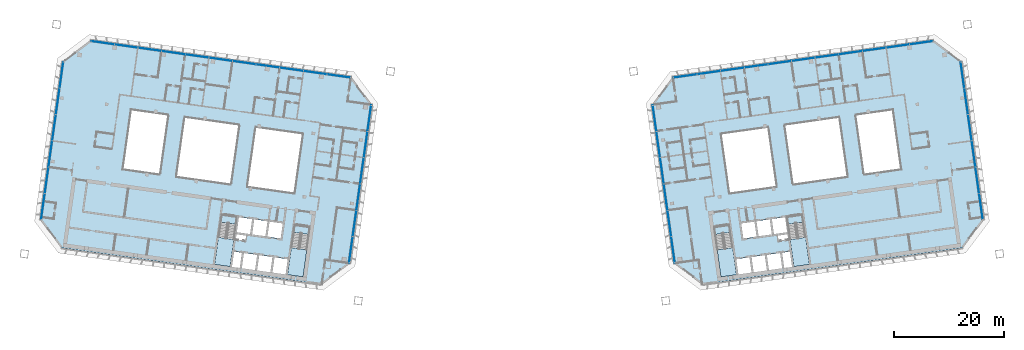
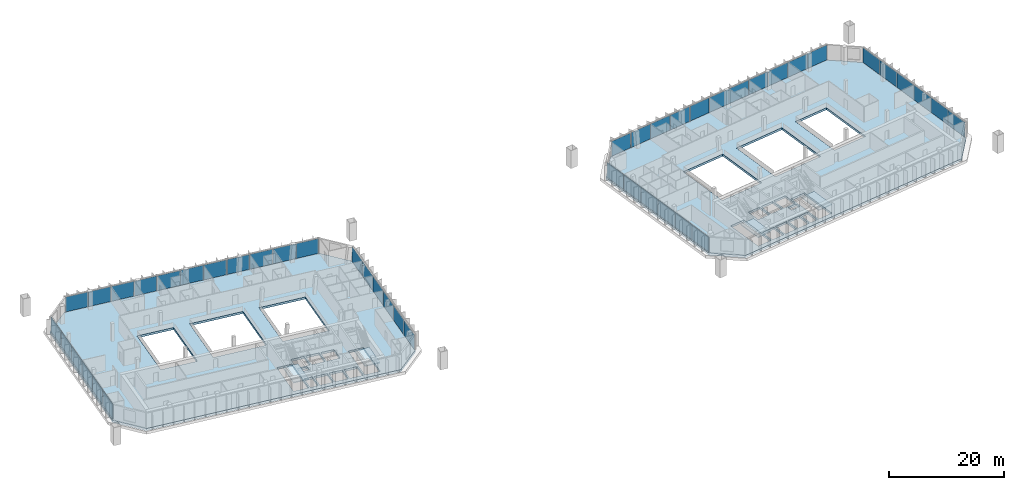
# One storey, part 12 of 23: 46 plates, 6 slabs, 10 elements without a shape of their own.
"""IFC4 building model written with IfcOpenShell, lengths in metres."""

import ifcopenshell
import ifcopenshell.guid

model = None  # the IFC model being written
_history = None  # IfcOwnerHistory: only IFC2X3 demands one
_inside = {}  # id of a spatial element -> (the spatial element, [elements in it])
_under = {}  # id of a project, library or spatial element -> (it, [spatial elements below it])
_declared = {}  # id of a project -> (the project, [libraries it declares])
_typed = {}  # id of a type object -> (the type object, [elements of that type])
_made_of = {}  # id of a material, layer set ... -> (it, [elements and type objects made of it])


def new_model(schema):
    """Start an empty IFC model of exactly this schema.

    Asked for "IFC4X3", IfcOpenShell would pick the latest addendum, in which some entities
    have other attributes; the version numbers below select the first issue.
    IFC2X3 requires an IfcOwnerHistory on every rooted entity: one is made here for all.
    """
    global model, _history
    if schema == "IFC4X3":
        model = ifcopenshell.file(schema_version=(4, 3, 0, 0))
    else:
        model = ifcopenshell.file(schema=schema)
    _inside.clear()
    _under.clear()
    _declared.clear()
    _typed.clear()
    _made_of.clear()
    _history = None
    if model.schema == "IFC2X3":
        org = make("IfcOrganization", Name="unknown")
        user = make(
            "IfcPersonAndOrganization",
            ThePerson=make("IfcPerson", FamilyName="unknown"),
            TheOrganization=org,
        )
        app = make(
            "IfcApplication",
            ApplicationDeveloper=org,
            Version="unknown",
            ApplicationFullName="unknown",
            ApplicationIdentifier="unknown",
        )
        _history = make(
            "IfcOwnerHistory",
            OwningUser=user,
            OwningApplication=app,
            ChangeAction="ADDED",
            CreationDate=0,
        )
    return model


def make(cls, **values):
    """One entity of the class cls with the attributes given. An attribute that is None is left unset."""
    return model.create_entity(
        cls, **{name: value for name, value in values.items() if value is not None}
    )


def rooted(cls, **values):
    """An entity with a GlobalId (a new one), such as an element, a storey or a relation."""
    return make(cls, GlobalId=ifcopenshell.guid.new(), OwnerHistory=_history, **values)


def si_unit(unit_type, name, prefix=None):
    """IfcSIUnit, for example si_unit("LENGTHUNIT", "METRE", prefix="MILLI")."""
    return make("IfcSIUnit", UnitType=unit_type, Prefix=prefix, Name=name)


def assignment(units):
    """IfcUnitAssignment: the units of a project."""
    return None if units is None else make("IfcUnitAssignment", Units=units)


def point(xyz):
    """IfcCartesianPoint."""
    return None if xyz is None else make("IfcCartesianPoint", Coordinates=xyz)


def direction(xyz):
    """IfcDirection."""
    return None if xyz is None else make("IfcDirection", DirectionRatios=xyz)


def frame(location, z_axis=None, x_axis=None):
    """IfcAxis2Placement3D, a coordinate frame: its origin and axes. An axis left out is left unset."""
    return make(
        "IfcAxis2Placement3D",
        Location=point(location),
        Axis=direction(z_axis),
        RefDirection=direction(x_axis),
    )


def frame_2d(location, x_axis=None):
    """IfcAxis2Placement2D, a coordinate frame in the plane: its origin and x axis."""
    return make(
        "IfcAxis2Placement2D", Location=point(location), RefDirection=direction(x_axis)
    )


def origin():
    """The frame at (0, 0, 0) with its axes left unset."""
    return frame((0.0, 0.0, 0.0))


def origin_2d():
    """The frame at (0, 0) in the plane with its x axis left unset."""
    return frame_2d((0.0, 0.0))


def place(relative_to, where):
    """IfcLocalPlacement: puts the frame where relative to a parent placement (None: the world)."""
    return make(
        "IfcLocalPlacement", PlacementRelTo=relative_to, RelativePlacement=where
    )


def context(
    kind, dimensions, precision=None, world=None, true_north=None, identifier=None
):
    """IfcGeometricRepresentationContext, for example the 3D "Model" context."""
    return make(
        "IfcGeometricRepresentationContext",
        ContextIdentifier=identifier,
        ContextType=kind,
        CoordinateSpaceDimension=dimensions,
        Precision=precision,
        WorldCoordinateSystem=world,
        TrueNorth=true_north,
    )


def subcontext(parent, identifier, kind, view, scale=None):
    """IfcGeometricRepresentationSubContext, for example "Body" below "Model"."""
    return make(
        "IfcGeometricRepresentationSubContext",
        ContextIdentifier=identifier,
        ContextType=kind,
        ParentContext=parent,
        TargetScale=scale,
        TargetView=view,
    )


def project(units=None, contexts=None):
    """IfcProject with its units and contexts."""
    return rooted(
        "IfcProject",
        Name="project",
        RepresentationContexts=contexts,
        UnitsInContext=assignment(units),
    )


def spatial(cls, under=None, at=None, **own):
    """A site, building, storey or space (cls), placed at a placement, below another one or the project."""
    s = rooted(cls, ObjectPlacement=at, **own)
    if under is not None:
        _under.setdefault(under.id(), (under, []))[1].append(s)
    return s


def polyline(points):
    """IfcPolyline through the points."""
    return make("IfcPolyline", Points=[point(p) for p in points])


def profile(cls, at=None, kind="AREA", **sizes):
    """A parametric profile (cls). Its sizes go by their IFC names, for example OverallWidth=200.0."""
    return make(cls, ProfileType=kind, Position=at, **sizes)


def rectangle(**sizes):
    """IfcRectangleProfileDef."""
    return profile("IfcRectangleProfileDef", **sizes)


def outline(outer, holes=None, kind="AREA"):
    """IfcArbitraryClosedProfileDef: a profile drawn as a closed curve; with holes, ...WithVoids."""
    if holes is None:
        return make("IfcArbitraryClosedProfileDef", ProfileType=kind, OuterCurve=outer)
    return make(
        "IfcArbitraryProfileDefWithVoids",
        ProfileType=kind,
        OuterCurve=outer,
        InnerCurves=holes,
    )


def extrude(swept, where, along, depth):
    """IfcExtrudedAreaSolid: the profile swept, set in the frame where, extruded along a direction by depth."""
    return make(
        "IfcExtrudedAreaSolid",
        SweptArea=swept,
        Position=where,
        ExtrudedDirection=direction(along),
        Depth=depth,
    )


def shape(context_of_items, identifier, shape_type, items):
    """IfcShapeRepresentation: the items that make up one representation, for example the "Body"."""
    return make(
        "IfcShapeRepresentation",
        ContextOfItems=context_of_items,
        RepresentationIdentifier=identifier,
        RepresentationType=shape_type,
        Items=items,
    )


def material(Name=None, Category=None):
    """IfcMaterial."""
    return make("IfcMaterial", Name=Name, Category=Category)


def layer(
    of_material, thickness, ventilated=None, Name=None, Category=None, Priority=None
):
    """IfcMaterialLayer: one layer of a wall or slab, of a material (None: an air gap)."""
    return make(
        "IfcMaterialLayer",
        Material=of_material,
        LayerThickness=thickness,
        IsVentilated=ventilated,
        Name=Name,
        Category=Category,
        Priority=Priority,
    )


def layer_set(layers, Name=None):
    """IfcMaterialLayerSet."""
    return make("IfcMaterialLayerSet", MaterialLayers=layers, LayerSetName=Name)


def made_of(thing, what):
    """Note that an element or type object is made of a material, layer set ...; save() writes the relation."""
    if what is not None:
        _made_of.setdefault(what.id(), (what, []))[1].append(thing)
    return thing


def type_object(cls, material=None, **own):
    """A type object (cls), such as IfcWallType, which elements share."""
    return made_of(rooted(cls, **own), material)


def element(
    cls,
    number,
    at=None,
    inside=None,
    cuts=None,
    type_object=None,
    material=None,
    context=None,
    identifier="Body",
    shape_type=None,
    held_by="IfcProductDefinitionShape",
    body=None,
    shapes=None,
    **own,
):
    """One element of the class cls, such as IfcWall. Its Tag is "e" and its number.

    at: its placement. inside: the storey or other place that contains it. cuts: it is an
    opening in that element (IfcRelVoidsElement). A single representation is given by context,
    identifier, shape_type and body (its items); several are given by shapes. held_by: the class
    of the entity that holds the representations. save() writes the other relations.
    """
    e = rooted(cls, Tag="e%d" % number, ObjectPlacement=at, **own)
    if body is not None:
        shapes = [shape(context, identifier, shape_type, body)]
    if shapes is not None:
        e.Representation = make(held_by, Representations=shapes)
    if inside is not None:
        _inside.setdefault(inside.id(), (inside, []))[1].append(e)
    if cuts is not None:
        rooted(
            "IfcRelVoidsElement", RelatingBuildingElement=cuts, RelatedOpeningElement=e
        )
    if type_object is not None:
        _typed.setdefault(type_object.id(), (type_object, []))[1].append(e)
    return made_of(e, material)


def aggregate(whole, parts):
    """IfcRelAggregates: a whole, such as a stair, and the parts it consists of."""
    return rooted("IfcRelAggregates", RelatingObject=whole, RelatedObjects=parts)


def save(model, path):
    """Write the relations noted so far, then the file.

    IfcRelAggregates (storeys below a building ...), IfcRelContainedInSpatialStructure (elements
    in a storey), IfcRelDefinesByType, IfcRelAssociatesMaterial and IfcRelDeclares: one each for
    every whole, place, type object, material and project.
    """
    for whole, parts in _under.values():
        aggregate(whole, parts)
    for where, things in _inside.values():
        rooted(
            "IfcRelContainedInSpatialStructure",
            RelatedElements=things,
            RelatingStructure=where,
        )
    for kind, things in _typed.values():
        rooted("IfcRelDefinesByType", RelatedObjects=things, RelatingType=kind)
    for what, things in _made_of.values():
        rooted("IfcRelAssociatesMaterial", RelatedObjects=things, RelatingMaterial=what)
    for by, libraries in _declared.values():
        rooted("IfcRelDeclares", RelatingContext=by, RelatedDefinitions=libraries)
    model.write(path)


model = new_model("IFC4")

# Units and contexts
model_context = context("Model", 3, precision=1e-05, world=origin(), true_north=direction((0.0, 1.0)))
body_context = subcontext(model_context, "Body", "Model", "MODEL_VIEW")
ifc_project = project(units=[si_unit("LENGTHUNIT", "METRE"), si_unit("AREAUNIT", "SQUARE_METRE"), si_unit("VOLUMEUNIT", "CUBIC_METRE"), si_unit("PLANEANGLEUNIT", "RADIAN"), si_unit("MASSUNIT", "GRAM", prefix="KILO")], contexts=[model_context])

# Site, building, storey
site_placement = place(None, origin())
site = spatial("IfcSite", under=ifc_project, at=site_placement, CompositionType="ELEMENT")
building_placement = place(site_placement, origin())
building = spatial("IfcBuilding", under=site, at=building_placement, Name="Mirante Cascada Hotel Towers", CompositionType="ELEMENT")
storey_placement = place(building_placement, frame((0.0, 0.0, 199.2)))
storey = spatial("IfcBuildingStorey", under=building, at=storey_placement, Name="L47", CompositionType="ELEMENT", Elevation=199.2)

# Curtain wall, plates
ifc_material_1 = material(Name="Aluminium mullion and transom frame with clear laminated glass", Category="aluminium")
curtain_wall_type_1 = type_object("IfcCurtainWallType", Name="Ribbon curtain wall ECW1", PredefinedType="NOTDEFINED", material=ifc_material_1)
curtain_wall_1_placement = place(storey_placement, origin())
curtain_wall_1 = element("IfcCurtainWall", 1, at=curtain_wall_1_placement, inside=storey, type_object=curtain_wall_type_1, Name="Front ribbon wall T1 L47", PredefinedType="NOTDEFINED")
ifc_material_2 = material(Name="Clear laminated glass", Category="glass")
ifc_layer_1 = layer(ifc_material_2, 0.036)
ifc_layer_set_1 = layer_set([ifc_layer_1], Name="ECW1 glass panel 36")
plate_type_1 = type_object("IfcPlateType", Name="ECW1 glass panel 36", PredefinedType="CURTAIN_PANEL", material=ifc_layer_set_1)
plate_1_placement = place(storey_placement, frame((-74.1777, 23.244, 0.1), z_axis=(0.0, 0.0, 1.0), x_axis=(0.9902681, -0.1391731, 0.0)))
plate_1 = element("IfcPlate", 2, at=plate_1_placement, type_object=plate_type_1, Name="ECW1 panel 1", PredefinedType="CURTAIN_PANEL", context=body_context, shape_type="SweptSolid", body=[
    extrude(rectangle(XDim=4.2237, YDim=0.036, at=origin_2d()), origin(), (0.0, 0.0, 1.0), 3.15),
])
plate_2_placement = place(storey_placement, frame((-69.9146, 22.6449, 0.1), z_axis=(0.0, 0.0, 1.0), x_axis=(0.9902681, -0.1391731, 0.0)))
plate_2 = element("IfcPlate", 3, at=plate_2_placement, type_object=plate_type_1, Name="ECW1 panel 2", PredefinedType="CURTAIN_PANEL", context=body_context, shape_type="SweptSolid", body=[
    extrude(rectangle(XDim=4.2562, YDim=0.036, at=origin_2d()), origin(), (0.0, 0.0, 1.0), 3.15),
])
plate_3_placement = place(storey_placement, frame((-65.6355, 22.0435, 0.1), z_axis=(0.0, 0.0, 1.0), x_axis=(0.9902681, -0.1391731, 0.0)))
plate_3 = element("IfcPlate", 4, at=plate_3_placement, type_object=plate_type_1, Name="ECW1 panel 3", PredefinedType="CURTAIN_PANEL", context=body_context, shape_type="SweptSolid", body=[
    extrude(rectangle(XDim=4.2562, YDim=0.036, at=origin_2d()), origin(), (0.0, 0.0, 1.0), 3.15),
])
plate_4_placement = place(storey_placement, frame((-61.3563, 21.4421, 0.1), z_axis=(0.0, 0.0, 1.0), x_axis=(0.9902681, -0.1391731, 0.0)))
plate_4 = element("IfcPlate", 5, at=plate_4_placement, type_object=plate_type_1, Name="ECW1 panel 4", PredefinedType="CURTAIN_PANEL", context=body_context, shape_type="SweptSolid", body=[
    extrude(rectangle(XDim=4.2562, YDim=0.036, at=origin_2d()), origin(), (0.0, 0.0, 1.0), 3.15),
])
plate_5_placement = place(storey_placement, frame((-57.0772, 20.8407, 0.1), z_axis=(0.0, 0.0, 1.0), x_axis=(0.9902681, -0.1391731, 0.0)))
plate_5 = element("IfcPlate", 6, at=plate_5_placement, type_object=plate_type_1, Name="ECW1 panel 5", PredefinedType="CURTAIN_PANEL", context=body_context, shape_type="SweptSolid", body=[
    extrude(rectangle(XDim=4.2562, YDim=0.036, at=origin_2d()), origin(), (0.0, 0.0, 1.0), 3.15),
])
plate_6_placement = place(storey_placement, frame((-52.7981, 20.2393, 0.1), z_axis=(0.0, 0.0, 1.0), x_axis=(0.9902681, -0.1391731, 0.0)))
plate_6 = element("IfcPlate", 7, at=plate_6_placement, type_object=plate_type_1, Name="ECW1 panel 6", PredefinedType="CURTAIN_PANEL", context=body_context, shape_type="SweptSolid", body=[
    extrude(rectangle(XDim=4.2562, YDim=0.036, at=origin_2d()), origin(), (0.0, 0.0, 1.0), 3.15),
])
plate_7_placement = place(storey_placement, frame((-48.5189, 19.6379, 0.1), z_axis=(0.0, 0.0, 1.0), x_axis=(0.9902681, -0.1391731, 0.0)))
plate_7 = element("IfcPlate", 8, at=plate_7_placement, type_object=plate_type_1, Name="ECW1 panel 7", PredefinedType="CURTAIN_PANEL", context=body_context, shape_type="SweptSolid", body=[
    extrude(rectangle(XDim=4.2562, YDim=0.036, at=origin_2d()), origin(), (0.0, 0.0, 1.0), 3.15),
])
plate_8_placement = place(storey_placement, frame((-44.2398, 19.0365, 0.1), z_axis=(0.0, 0.0, 1.0), x_axis=(0.9902681, -0.1391731, 0.0)))
plate_8 = element("IfcPlate", 9, at=plate_8_placement, type_object=plate_type_1, Name="ECW1 panel 8", PredefinedType="CURTAIN_PANEL", context=body_context, shape_type="SweptSolid", body=[
    extrude(rectangle(XDim=4.2562, YDim=0.036, at=origin_2d()), origin(), (0.0, 0.0, 1.0), 3.15),
])
plate_9_placement = place(storey_placement, frame((-39.9606, 18.4351, 0.1), z_axis=(0.0, 0.0, 1.0), x_axis=(0.9902681, -0.1391731, 0.0)))
plate_9 = element("IfcPlate", 10, at=plate_9_placement, type_object=plate_type_1, Name="ECW1 panel 9", PredefinedType="CURTAIN_PANEL", context=body_context, shape_type="SweptSolid", body=[
    extrude(rectangle(XDim=4.2562, YDim=0.036, at=origin_2d()), origin(), (0.0, 0.0, 1.0), 3.15),
])
plate_10_placement = place(storey_placement, frame((-35.6815, 17.8337, 0.1), z_axis=(0.0, 0.0, 1.0), x_axis=(0.9902681, -0.1391731, 0.0)))
plate_10 = element("IfcPlate", 11, at=plate_10_placement, type_object=plate_type_1, Name="ECW1 panel 10", PredefinedType="CURTAIN_PANEL", context=body_context, shape_type="SweptSolid", body=[
    extrude(rectangle(XDim=4.2562, YDim=0.036, at=origin_2d()), origin(), (0.0, 0.0, 1.0), 3.15),
])
plate_11_placement = place(storey_placement, frame((-31.4184, 17.2346, 0.1), z_axis=(0.0, 0.0, 1.0), x_axis=(0.9902681, -0.1391731, 0.0)))
plate_11 = element("IfcPlate", 12, at=plate_11_placement, type_object=plate_type_1, Name="ECW1 panel 11", PredefinedType="CURTAIN_PANEL", context=body_context, shape_type="SweptSolid", body=[
    extrude(rectangle(XDim=4.2237, YDim=0.036, at=origin_2d()), origin(), (0.0, 0.0, 1.0), 3.15),
])
aggregate(curtain_wall_1, [plate_1, plate_2, plate_3, plate_4, plate_5, plate_6, plate_7, plate_8, plate_9, plate_10, plate_11])

curtain_wall_2_placement = place(storey_placement, origin())
curtain_wall_2 = element("IfcCurtainWall", 13, at=curtain_wall_2_placement, inside=storey, type_object=curtain_wall_type_1, Name="Front ribbon wall T2 L47", PredefinedType="NOTDEFINED")
plate_12_placement = place(storey_placement, frame((74.1777, 23.244, 0.1), z_axis=(0.0, 0.0, 1.0), x_axis=(-0.9902681, -0.1391731, 0.0)))
plate_12 = element("IfcPlate", 14, at=plate_12_placement, type_object=plate_type_1, Name="ECW1 panel 1", PredefinedType="CURTAIN_PANEL", context=body_context, shape_type="SweptSolid", body=[
    extrude(rectangle(XDim=4.2237, YDim=0.036, at=origin_2d()), origin(), (0.0, 0.0, 1.0), 3.15),
])
plate_13_placement = place(storey_placement, frame((69.9146, 22.6449, 0.1), z_axis=(0.0, 0.0, 1.0), x_axis=(-0.9902681, -0.1391731, 0.0)))
plate_13 = element("IfcPlate", 15, at=plate_13_placement, type_object=plate_type_1, Name="ECW1 panel 2", PredefinedType="CURTAIN_PANEL", context=body_context, shape_type="SweptSolid", body=[
    extrude(rectangle(XDim=4.2562, YDim=0.036, at=origin_2d()), origin(), (0.0, 0.0, 1.0), 3.15),
])
plate_14_placement = place(storey_placement, frame((65.6355, 22.0435, 0.1), z_axis=(0.0, 0.0, 1.0), x_axis=(-0.9902681, -0.1391731, 0.0)))
plate_14 = element("IfcPlate", 16, at=plate_14_placement, type_object=plate_type_1, Name="ECW1 panel 3", PredefinedType="CURTAIN_PANEL", context=body_context, shape_type="SweptSolid", body=[
    extrude(rectangle(XDim=4.2562, YDim=0.036, at=origin_2d()), origin(), (0.0, 0.0, 1.0), 3.15),
])
plate_15_placement = place(storey_placement, frame((61.3563, 21.4421, 0.1), z_axis=(0.0, 0.0, 1.0), x_axis=(-0.9902681, -0.1391731, 0.0)))
plate_15 = element("IfcPlate", 17, at=plate_15_placement, type_object=plate_type_1, Name="ECW1 panel 4", PredefinedType="CURTAIN_PANEL", context=body_context, shape_type="SweptSolid", body=[
    extrude(rectangle(XDim=4.2562, YDim=0.036, at=origin_2d()), origin(), (0.0, 0.0, 1.0), 3.15),
])
plate_16_placement = place(storey_placement, frame((57.0772, 20.8407, 0.1), z_axis=(0.0, 0.0, 1.0), x_axis=(-0.9902681, -0.1391731, 0.0)))
plate_16 = element("IfcPlate", 18, at=plate_16_placement, type_object=plate_type_1, Name="ECW1 panel 5", PredefinedType="CURTAIN_PANEL", context=body_context, shape_type="SweptSolid", body=[
    extrude(rectangle(XDim=4.2562, YDim=0.036, at=origin_2d()), origin(), (0.0, 0.0, 1.0), 3.15),
])
plate_17_placement = place(storey_placement, frame((52.7981, 20.2393, 0.1), z_axis=(0.0, 0.0, 1.0), x_axis=(-0.9902681, -0.1391731, 0.0)))
plate_17 = element("IfcPlate", 19, at=plate_17_placement, type_object=plate_type_1, Name="ECW1 panel 6", PredefinedType="CURTAIN_PANEL", context=body_context, shape_type="SweptSolid", body=[
    extrude(rectangle(XDim=4.2562, YDim=0.036, at=origin_2d()), origin(), (0.0, 0.0, 1.0), 3.15),
])
plate_18_placement = place(storey_placement, frame((48.5189, 19.6379, 0.1), z_axis=(0.0, 0.0, 1.0), x_axis=(-0.9902681, -0.1391731, 0.0)))
plate_18 = element("IfcPlate", 20, at=plate_18_placement, type_object=plate_type_1, Name="ECW1 panel 7", PredefinedType="CURTAIN_PANEL", context=body_context, shape_type="SweptSolid", body=[
    extrude(rectangle(XDim=4.2562, YDim=0.036, at=origin_2d()), origin(), (0.0, 0.0, 1.0), 3.15),
])
plate_19_placement = place(storey_placement, frame((44.2398, 19.0365, 0.1), z_axis=(0.0, 0.0, 1.0), x_axis=(-0.9902681, -0.1391731, 0.0)))
plate_19 = element("IfcPlate", 21, at=plate_19_placement, type_object=plate_type_1, Name="ECW1 panel 8", PredefinedType="CURTAIN_PANEL", context=body_context, shape_type="SweptSolid", body=[
    extrude(rectangle(XDim=4.2562, YDim=0.036, at=origin_2d()), origin(), (0.0, 0.0, 1.0), 3.15),
])
plate_20_placement = place(storey_placement, frame((39.9606, 18.4351, 0.1), z_axis=(0.0, 0.0, 1.0), x_axis=(-0.9902681, -0.1391731, 0.0)))
plate_20 = element("IfcPlate", 22, at=plate_20_placement, type_object=plate_type_1, Name="ECW1 panel 9", PredefinedType="CURTAIN_PANEL", context=body_context, shape_type="SweptSolid", body=[
    extrude(rectangle(XDim=4.2562, YDim=0.036, at=origin_2d()), origin(), (0.0, 0.0, 1.0), 3.15),
])
plate_21_placement = place(storey_placement, frame((35.6815, 17.8337, 0.1), z_axis=(0.0, 0.0, 1.0), x_axis=(-0.9902681, -0.1391731, 0.0)))
plate_21 = element("IfcPlate", 23, at=plate_21_placement, type_object=plate_type_1, Name="ECW1 panel 10", PredefinedType="CURTAIN_PANEL", context=body_context, shape_type="SweptSolid", body=[
    extrude(rectangle(XDim=4.2562, YDim=0.036, at=origin_2d()), origin(), (0.0, 0.0, 1.0), 3.15),
])
plate_22_placement = place(storey_placement, frame((31.4184, 17.2346, 0.1), z_axis=(0.0, 0.0, 1.0), x_axis=(-0.9902681, -0.1391731, 0.0)))
plate_22 = element("IfcPlate", 24, at=plate_22_placement, type_object=plate_type_1, Name="ECW1 panel 11", PredefinedType="CURTAIN_PANEL", context=body_context, shape_type="SweptSolid", body=[
    extrude(rectangle(XDim=4.2237, YDim=0.036, at=origin_2d()), origin(), (0.0, 0.0, 1.0), 3.15),
])
aggregate(curtain_wall_2, [plate_12, plate_13, plate_14, plate_15, plate_16, plate_17, plate_18, plate_19, plate_20, plate_21, plate_22])

ifc_material_3 = material(Name="Aluminium mullion and transom frame with clear laminated glass", Category="aluminium")
curtain_wall_type_2 = type_object("IfcCurtainWallType", Name="End ribbon curtain wall ECW2", PredefinedType="NOTDEFINED", material=ifc_material_3)
curtain_wall_3_placement = place(storey_placement, origin())
curtain_wall_3 = element("IfcCurtainWall", 25, at=curtain_wall_3_placement, inside=storey, type_object=curtain_wall_type_2, Name="Inner end wall T1 L47", PredefinedType="NOTDEFINED")
ifc_material_4 = material(Name="Clear laminated glass", Category="glass")
ifc_layer_2 = layer(ifc_material_4, 0.034)
ifc_layer_set_2 = layer_set([ifc_layer_2], Name="ECW2 glass panel 34")
plate_type_2 = type_object("IfcPlateType", Name="ECW2 glass panel 34", PredefinedType="CURTAIN_PANEL", material=ifc_layer_set_2)
plate_23_placement = place(storey_placement, frame((-25.8448, 9.5494, 0.1), z_axis=(0.0, 0.0, 1.0), x_axis=(-0.1391731, -0.9902681, 0.0)))
plate_23 = element("IfcPlate", 26, at=plate_23_placement, type_object=plate_type_2, Name="ECW2 panel 1", PredefinedType="CURTAIN_PANEL", context=body_context, shape_type="SweptSolid", body=[
    extrude(rectangle(XDim=4.7151, YDim=0.034, at=origin_2d()), origin(), (0.0, 0.0, 1.0), 3.15),
])
plate_24_placement = place(storey_placement, frame((-26.5123, 4.7997, 0.1), z_axis=(0.0, 0.0, 1.0), x_axis=(-0.1391731, -0.9902681, 0.0)))
plate_24 = element("IfcPlate", 27, at=plate_24_placement, type_object=plate_type_2, Name="ECW2 panel 2", PredefinedType="CURTAIN_PANEL", context=body_context, shape_type="SweptSolid", body=[
    extrude(rectangle(XDim=4.7476, YDim=0.034, at=origin_2d()), origin(), (0.0, 0.0, 1.0), 3.15),
])
plate_25_placement = place(storey_placement, frame((-27.1821, 0.0339, 0.1), z_axis=(0.0, 0.0, 1.0), x_axis=(-0.1391731, -0.9902681, 0.0)))
plate_25 = element("IfcPlate", 28, at=plate_25_placement, type_object=plate_type_2, Name="ECW2 panel 3", PredefinedType="CURTAIN_PANEL", context=body_context, shape_type="SweptSolid", body=[
    extrude(rectangle(XDim=4.7476, YDim=0.034, at=origin_2d()), origin(), (0.0, 0.0, 1.0), 3.15),
])
plate_26_placement = place(storey_placement, frame((-27.8519, -4.7319, 0.1), z_axis=(0.0, 0.0, 1.0), x_axis=(-0.1391731, -0.9902681, 0.0)))
plate_26 = element("IfcPlate", 29, at=plate_26_placement, type_object=plate_type_2, Name="ECW2 panel 4", PredefinedType="CURTAIN_PANEL", context=body_context, shape_type="SweptSolid", body=[
    extrude(rectangle(XDim=4.7476, YDim=0.034, at=origin_2d()), origin(), (0.0, 0.0, 1.0), 3.15),
])
plate_27_placement = place(storey_placement, frame((-28.5217, -9.4976, 0.1), z_axis=(0.0, 0.0, 1.0), x_axis=(-0.1391731, -0.9902681, 0.0)))
plate_27 = element("IfcPlate", 30, at=plate_27_placement, type_object=plate_type_2, Name="ECW2 panel 5", PredefinedType="CURTAIN_PANEL", context=body_context, shape_type="SweptSolid", body=[
    extrude(rectangle(XDim=4.7476, YDim=0.034, at=origin_2d()), origin(), (0.0, 0.0, 1.0), 3.15),
])
plate_28_placement = place(storey_placement, frame((-29.1892, -14.2473, 0.1), z_axis=(0.0, 0.0, 1.0), x_axis=(-0.1391731, -0.9902681, 0.0)))
plate_28 = element("IfcPlate", 31, at=plate_28_placement, type_object=plate_type_2, Name="ECW2 panel 6", PredefinedType="CURTAIN_PANEL", context=body_context, shape_type="SweptSolid", body=[
    extrude(rectangle(XDim=4.7151, YDim=0.034, at=origin_2d()), origin(), (0.0, 0.0, 1.0), 3.15),
])
aggregate(curtain_wall_3, [plate_23, plate_24, plate_25, plate_26, plate_27, plate_28])

curtain_wall_4_placement = place(storey_placement, origin())
curtain_wall_4 = element("IfcCurtainWall", 32, at=curtain_wall_4_placement, inside=storey, type_object=curtain_wall_type_2, Name="Outer end wall T1 L47", PredefinedType="NOTDEFINED")
plate_29_placement = place(storey_placement, frame((-84.9981, -6.4039, 0.1), z_axis=(0.0, 0.0, 1.0), x_axis=(0.1391731, 0.9902681, 0.0)))
plate_29 = element("IfcPlate", 33, at=plate_29_placement, type_object=plate_type_2, Name="ECW2 panel 1", PredefinedType="CURTAIN_PANEL", context=body_context, shape_type="SweptSolid", body=[
    extrude(rectangle(XDim=4.7151, YDim=0.034, at=origin_2d()), origin(), (0.0, 0.0, 1.0), 3.15),
])
plate_30_placement = place(storey_placement, frame((-83.6608, 3.1116, 0.1), z_axis=(0.0, 0.0, 1.0), x_axis=(0.1391731, 0.9902681, 0.0)))
plate_30 = element("IfcPlate", 34, at=plate_30_placement, type_object=plate_type_2, Name="ECW2 panel 3", PredefinedType="CURTAIN_PANEL", context=body_context, shape_type="SweptSolid", body=[
    extrude(rectangle(XDim=4.7476, YDim=0.034, at=origin_2d()), origin(), (0.0, 0.0, 1.0), 3.15),
])
plate_31_placement = place(storey_placement, frame((-82.991, 7.8774, 0.1), z_axis=(0.0, 0.0, 1.0), x_axis=(0.1391731, 0.9902681, 0.0)))
plate_31 = element("IfcPlate", 35, at=plate_31_placement, type_object=plate_type_2, Name="ECW2 panel 4", PredefinedType="CURTAIN_PANEL", context=body_context, shape_type="SweptSolid", body=[
    extrude(rectangle(XDim=4.7476, YDim=0.034, at=origin_2d()), origin(), (0.0, 0.0, 1.0), 3.15),
])
plate_32_placement = place(storey_placement, frame((-81.6537, 17.3928, 0.1), z_axis=(0.0, 0.0, 1.0), x_axis=(0.1391731, 0.9902681, 0.0)))
plate_32 = element("IfcPlate", 36, at=plate_32_placement, type_object=plate_type_2, Name="ECW2 panel 6", PredefinedType="CURTAIN_PANEL", context=body_context, shape_type="SweptSolid", body=[
    extrude(rectangle(XDim=4.7151, YDim=0.034, at=origin_2d()), origin(), (0.0, 0.0, 1.0), 3.15),
])

curtain_wall_5_placement = place(storey_placement, origin())
curtain_wall_5 = element("IfcCurtainWall", 37, at=curtain_wall_5_placement, inside=storey, type_object=curtain_wall_type_2, Name="Inner end wall T2 L47", PredefinedType="NOTDEFINED")
plate_33_placement = place(storey_placement, frame((25.8448, 9.5494, 0.1), z_axis=(0.0, 0.0, 1.0), x_axis=(0.1391731, -0.9902681, 0.0)))
plate_33 = element("IfcPlate", 38, at=plate_33_placement, type_object=plate_type_2, Name="ECW2 panel 1", PredefinedType="CURTAIN_PANEL", context=body_context, shape_type="SweptSolid", body=[
    extrude(rectangle(XDim=4.7151, YDim=0.034, at=origin_2d()), origin(), (0.0, 0.0, 1.0), 3.15),
])
plate_34_placement = place(storey_placement, frame((26.5123, 4.7997, 0.1), z_axis=(0.0, 0.0, 1.0), x_axis=(0.1391731, -0.9902681, 0.0)))
plate_34 = element("IfcPlate", 39, at=plate_34_placement, type_object=plate_type_2, Name="ECW2 panel 2", PredefinedType="CURTAIN_PANEL", context=body_context, shape_type="SweptSolid", body=[
    extrude(rectangle(XDim=4.7476, YDim=0.034, at=origin_2d()), origin(), (0.0, 0.0, 1.0), 3.15),
])
plate_35_placement = place(storey_placement, frame((27.1821, 0.0339, 0.1), z_axis=(0.0, 0.0, 1.0), x_axis=(0.1391731, -0.9902681, 0.0)))
plate_35 = element("IfcPlate", 40, at=plate_35_placement, type_object=plate_type_2, Name="ECW2 panel 3", PredefinedType="CURTAIN_PANEL", context=body_context, shape_type="SweptSolid", body=[
    extrude(rectangle(XDim=4.7476, YDim=0.034, at=origin_2d()), origin(), (0.0, 0.0, 1.0), 3.15),
])
plate_36_placement = place(storey_placement, frame((27.8519, -4.7319, 0.1), z_axis=(0.0, 0.0, 1.0), x_axis=(0.1391731, -0.9902681, 0.0)))
plate_36 = element("IfcPlate", 41, at=plate_36_placement, type_object=plate_type_2, Name="ECW2 panel 4", PredefinedType="CURTAIN_PANEL", context=body_context, shape_type="SweptSolid", body=[
    extrude(rectangle(XDim=4.7476, YDim=0.034, at=origin_2d()), origin(), (0.0, 0.0, 1.0), 3.15),
])
plate_37_placement = place(storey_placement, frame((28.5217, -9.4976, 0.1), z_axis=(0.0, 0.0, 1.0), x_axis=(0.1391731, -0.9902681, 0.0)))
plate_37 = element("IfcPlate", 42, at=plate_37_placement, type_object=plate_type_2, Name="ECW2 panel 5", PredefinedType="CURTAIN_PANEL", context=body_context, shape_type="SweptSolid", body=[
    extrude(rectangle(XDim=4.7476, YDim=0.034, at=origin_2d()), origin(), (0.0, 0.0, 1.0), 3.15),
])
plate_38_placement = place(storey_placement, frame((29.1892, -14.2473, 0.1), z_axis=(0.0, 0.0, 1.0), x_axis=(0.1391731, -0.9902681, 0.0)))
plate_38 = element("IfcPlate", 43, at=plate_38_placement, type_object=plate_type_2, Name="ECW2 panel 6", PredefinedType="CURTAIN_PANEL", context=body_context, shape_type="SweptSolid", body=[
    extrude(rectangle(XDim=4.7151, YDim=0.034, at=origin_2d()), origin(), (0.0, 0.0, 1.0), 3.15),
])
aggregate(curtain_wall_5, [plate_33, plate_34, plate_35, plate_36, plate_37, plate_38])

curtain_wall_6_placement = place(storey_placement, origin())
curtain_wall_6 = element("IfcCurtainWall", 44, at=curtain_wall_6_placement, inside=storey, type_object=curtain_wall_type_2, Name="Outer end wall T2 L47", PredefinedType="NOTDEFINED")
plate_39_placement = place(storey_placement, frame((84.9981, -6.4039, 0.1), z_axis=(0.0, 0.0, 1.0), x_axis=(-0.1391731, 0.9902681, 0.0)))
plate_39 = element("IfcPlate", 45, at=plate_39_placement, type_object=plate_type_2, Name="ECW2 panel 1", PredefinedType="CURTAIN_PANEL", context=body_context, shape_type="SweptSolid", body=[
    extrude(rectangle(XDim=4.7151, YDim=0.034, at=origin_2d()), origin(), (0.0, 0.0, 1.0), 3.15),
])
plate_40_placement = place(storey_placement, frame((83.6608, 3.1116, 0.1), z_axis=(0.0, 0.0, 1.0), x_axis=(-0.1391731, 0.9902681, 0.0)))
plate_40 = element("IfcPlate", 46, at=plate_40_placement, type_object=plate_type_2, Name="ECW2 panel 3", PredefinedType="CURTAIN_PANEL", context=body_context, shape_type="SweptSolid", body=[
    extrude(rectangle(XDim=4.7476, YDim=0.034, at=origin_2d()), origin(), (0.0, 0.0, 1.0), 3.15),
])
plate_41_placement = place(storey_placement, frame((82.991, 7.8774, 0.1), z_axis=(0.0, 0.0, 1.0), x_axis=(-0.1391731, 0.9902681, 0.0)))
plate_41 = element("IfcPlate", 47, at=plate_41_placement, type_object=plate_type_2, Name="ECW2 panel 4", PredefinedType="CURTAIN_PANEL", context=body_context, shape_type="SweptSolid", body=[
    extrude(rectangle(XDim=4.7476, YDim=0.034, at=origin_2d()), origin(), (0.0, 0.0, 1.0), 3.15),
])
plate_42_placement = place(storey_placement, frame((81.6537, 17.3928, 0.1), z_axis=(0.0, 0.0, 1.0), x_axis=(-0.1391731, 0.9902681, 0.0)))
plate_42 = element("IfcPlate", 48, at=plate_42_placement, type_object=plate_type_2, Name="ECW2 panel 6", PredefinedType="CURTAIN_PANEL", context=body_context, shape_type="SweptSolid", body=[
    extrude(rectangle(XDim=4.7151, YDim=0.034, at=origin_2d()), origin(), (0.0, 0.0, 1.0), 3.15),
])

# Plate
ifc_material_5 = material(Name="Insulated aluminium spandrel panel", Category="aluminium")
ifc_layer_3 = layer(ifc_material_5, 0.034)
ifc_layer_set_3 = layer_set([ifc_layer_3], Name="ECW2 spandrel panel 34")
plate_type_3 = type_object("IfcPlateType", Name="ECW2 spandrel panel 34", PredefinedType="CURTAIN_PANEL", material=ifc_layer_set_3)
plate_43_placement = place(storey_placement, frame((-84.3306, -1.6542, 0.1), z_axis=(0.0, 0.0, 1.0), x_axis=(0.1391731, 0.9902681, 0.0)))
plate_43 = element("IfcPlate", 49, at=plate_43_placement, type_object=plate_type_3, Name="ECW2 panel 2", PredefinedType="CURTAIN_PANEL", context=body_context, shape_type="SweptSolid", body=[
    extrude(rectangle(XDim=4.7476, YDim=0.034, at=origin_2d()), origin(), (0.0, 0.0, 1.0), 3.15),
])

plate_44_placement = place(storey_placement, frame((-82.3213, 12.6432, 0.1), z_axis=(0.0, 0.0, 1.0), x_axis=(0.1391731, 0.9902681, 0.0)))
plate_44 = element("IfcPlate", 50, at=plate_44_placement, type_object=plate_type_3, Name="ECW2 panel 5", PredefinedType="CURTAIN_PANEL", context=body_context, shape_type="SweptSolid", body=[
    extrude(rectangle(XDim=4.7476, YDim=0.034, at=origin_2d()), origin(), (0.0, 0.0, 1.0), 3.15),
])

aggregate(curtain_wall_4, [plate_29, plate_43, plate_30, plate_31, plate_44, plate_32])

plate_45_placement = place(storey_placement, frame((84.3306, -1.6542, 0.1), z_axis=(0.0, 0.0, 1.0), x_axis=(-0.1391731, 0.9902681, 0.0)))
plate_45 = element("IfcPlate", 51, at=plate_45_placement, type_object=plate_type_3, Name="ECW2 panel 2", PredefinedType="CURTAIN_PANEL", context=body_context, shape_type="SweptSolid", body=[
    extrude(rectangle(XDim=4.7476, YDim=0.034, at=origin_2d()), origin(), (0.0, 0.0, 1.0), 3.15),
])

plate_46_placement = place(storey_placement, frame((82.3213, 12.6432, 0.1), z_axis=(0.0, 0.0, 1.0), x_axis=(-0.1391731, 0.9902681, 0.0)))
plate_46 = element("IfcPlate", 52, at=plate_46_placement, type_object=plate_type_3, Name="ECW2 panel 5", PredefinedType="CURTAIN_PANEL", context=body_context, shape_type="SweptSolid", body=[
    extrude(rectangle(XDim=4.7476, YDim=0.034, at=origin_2d()), origin(), (0.0, 0.0, 1.0), 3.15),
])

aggregate(curtain_wall_6, [plate_39, plate_45, plate_40, plate_41, plate_46, plate_42])

# Stair, slab
ifc_material_6 = material(Name="Concrete C35/45", Category="concrete")
stair_type = type_object("IfcStairType", Name="Exit stair half-turn 1350 concrete C35/45", PredefinedType="HALF_TURN_STAIR", material=ifc_material_6)
stair_1_placement = place(storey_placement, origin())
stair_1 = element("IfcStair", 53, at=stair_1_placement, inside=storey, type_object=stair_type, Name="L47 Exit stair A", PredefinedType="HALF_TURN_STAIR")
ifc_material_7 = material(Name="Concrete C35/45", Category="concrete")
ifc_layer_4 = layer(ifc_material_7, 0.2)
ifc_layer_set_4 = layer_set([ifc_layer_4], Name="Exit stair landing 200 concrete C35/45")
slab_type_1 = type_object("IfcSlabType", Name="Exit stair landing 200 concrete C35/45", PredefinedType="LANDING", material=ifc_layer_set_4)
slab_1_placement = place(storey_placement, frame((0.0, 0.0, 1.7)))
slab_1 = element("IfcSlab", 54, at=slab_1_placement, type_object=slab_type_1, Name="ST1-A landing 1", PredefinedType="LANDING", context=body_context, shape_type="SweptSolid", body=[
    extrude(outline(polyline([(-39.9987, -13.8659), (-40.6887, -18.7757), (-37.8665, -19.1723), (-37.1765, -14.2626), (-39.9987, -13.8659)])), origin(), (0.0, 0.0, 1.0), 0.2),
])
aggregate(stair_1, [slab_1])

stair_2_placement = place(storey_placement, origin())
stair_2 = element("IfcStair", 55, at=stair_2_placement, inside=storey, type_object=stair_type, Name="L47 Exit stair B", PredefinedType="HALF_TURN_STAIR")
slab_2_placement = place(storey_placement, frame((0.0, 0.0, 1.7)))
slab_2 = element("IfcSlab", 56, at=slab_2_placement, type_object=slab_type_1, Name="ST1-B landing 1", PredefinedType="LANDING", context=body_context, shape_type="SweptSolid", body=[
    extrude(outline(polyline([(-53.2188, -12.008), (-53.9088, -16.9177), (-51.0866, -17.3144), (-50.3965, -12.4046), (-53.2188, -12.008)])), origin(), (0.0, 0.0, 1.0), 0.2),
])
aggregate(stair_2, [slab_2])

stair_3_placement = place(storey_placement, origin())
stair_3 = element("IfcStair", 57, at=stair_3_placement, inside=storey, type_object=stair_type, Name="L47 Exit stair A", PredefinedType="HALF_TURN_STAIR")
slab_3_placement = place(storey_placement, frame((0.0, 0.0, 1.7)))
slab_3 = element("IfcSlab", 58, at=slab_3_placement, type_object=slab_type_1, Name="ST2-A landing 1", PredefinedType="LANDING", context=body_context, shape_type="SweptSolid", body=[
    extrude(outline(polyline([(37.1765, -14.2626), (37.8665, -19.1723), (40.6887, -18.7757), (39.9987, -13.8659), (37.1765, -14.2626)])), origin(), (0.0, 0.0, 1.0), 0.2),
])
aggregate(stair_3, [slab_3])

stair_4_placement = place(storey_placement, origin())
stair_4 = element("IfcStair", 59, at=stair_4_placement, inside=storey, type_object=stair_type, Name="L47 Exit stair B", PredefinedType="HALF_TURN_STAIR")
slab_4_placement = place(storey_placement, frame((0.0, 0.0, 1.7)))
slab_4 = element("IfcSlab", 60, at=slab_4_placement, type_object=slab_type_1, Name="ST2-B landing 1", PredefinedType="LANDING", context=body_context, shape_type="SweptSolid", body=[
    extrude(outline(polyline([(50.3965, -12.4046), (51.0866, -17.3144), (53.9088, -16.9177), (53.2188, -12.008), (50.3965, -12.4046)])), origin(), (0.0, 0.0, 1.0), 0.2),
])
aggregate(stair_4, [slab_4])

# Slabs
ifc_material_8 = material(Name="Concrete C40/50", Category="concrete")
ifc_layer_5 = layer(ifc_material_8, 0.45)
ifc_layer_set_5 = layer_set([ifc_layer_5], Name="Post-tensioned flat plate 450 Concrete C40/50")
slab_type_2 = type_object("IfcSlabType", Name="Post-tensioned flat plate 450 Concrete C40/50", PredefinedType="FLOOR", material=ifc_layer_set_5)
slab_5_placement = place(storey_placement, frame((0.0, 0.0, -0.45)))
element("IfcSlab", 61, at=slab_5_placement, inside=storey, type_object=slab_type_2, Name="Floor T1 L47", PredefinedType="FLOOR", context=body_context, shape_type="SweptSolid", body=[
    extrude(outline(polyline([(-29.3865, -16.7287), (-25.3505, 11.989), (-29.1804, 17.0715), (-76.374, 23.7042), (-81.4565, 19.8742), (-85.4925, -8.8435), (-81.6626, -13.926), (-34.469, -20.5587), (-29.3865, -16.7287)]), holes=[polyline([(-40.5961, -15.9612), (-40.9858, -18.7339), (-43.4615, -18.386), (-43.0718, -15.6132), (-40.5961, -15.9612)]), polyline([(-43.3689, -15.5715), (-43.7586, -18.3442), (-46.2342, -17.9963), (-45.8446, -15.2236), (-43.3689, -15.5715)]), polyline([(-46.1416, -15.1818), (-46.5313, -17.9546), (-49.007, -17.6066), (-48.6173, -14.8339), (-46.1416, -15.1818)]), polyline([(-36.7887, -11.5037), (-37.8665, -19.1723), (-40.6887, -18.7757), (-39.611, -11.107), (-36.7887, -11.5037)]), polyline([(-43.9775, -9.124), (-41.5018, -9.472), (-41.8915, -12.2447), (-44.3672, -11.8968), (-43.9775, -9.124)]), polyline([(-44.2746, -9.0823), (-44.6643, -11.855), (-47.1399, -11.5071), (-46.7503, -8.7344), (-44.2746, -9.0823)]), polyline([(-50.3998, -14.5834), (-48.9144, -14.7921), (-49.3041, -17.5649), (-50.7895, -17.3561), (-50.3998, -14.5834)]), polyline([(-50.0088, -9.6457), (-51.0866, -17.3144), (-53.9088, -16.9177), (-52.8311, -9.2491), (-50.0088, -9.6457)]), polyline([(-48.1472, -11.6685), (-48.2829, -12.634), (-50.0901, -12.38), (-49.9544, -11.4145), (-48.1472, -11.6685)]), polyline([(-49.523, -8.3447), (-47.0473, -8.6926), (-47.437, -11.4654), (-49.9127, -11.1174), (-49.523, -8.3447)]), polyline([(-62.2856, 10.2121), (-62.2856, 10.2121), (-63.8165, -0.6808), (-63.8165, -0.6808), (-70.579, 0.2696), (-69.0481, 11.1625), (-62.2856, 10.2121)]), polyline([(-49.4147, 8.4032), (-50.9456, -2.4897), (-50.9456, -2.4897), (-60.8438, -1.0986), (-60.8438, -1.0986), (-59.3129, 9.7943), (-59.3129, 9.7943), (-49.4147, 8.4032)]), polyline([(-37.8547, 6.7786), (-39.3856, -4.1144), (-47.9728, -2.9075), (-47.9728, -2.9075), (-46.4419, 7.9854), (-37.8547, 6.7786)])]), origin(), (0.0, 0.0, 1.0), 0.45),
])
slab_6_placement = place(storey_placement, frame((0.0, 0.0, -0.45)))
element("IfcSlab", 62, at=slab_6_placement, inside=storey, type_object=slab_type_2, Name="Floor T2 L47", PredefinedType="FLOOR", context=body_context, shape_type="SweptSolid", body=[
    extrude(outline(polyline([(29.3865, -16.7287), (25.3505, 11.989), (29.1804, 17.0715), (76.374, 23.7042), (81.4565, 19.8742), (85.4925, -8.8435), (81.6626, -13.926), (34.469, -20.5587), (29.3865, -16.7287)]), holes=[polyline([(40.5961, -15.9612), (40.9858, -18.7339), (43.4615, -18.386), (43.0718, -15.6132), (40.5961, -15.9612)]), polyline([(43.3689, -15.5715), (43.7586, -18.3442), (46.2342, -17.9963), (45.8446, -15.2236), (43.3689, -15.5715)]), polyline([(46.1416, -15.1818), (46.5313, -17.9546), (49.007, -17.6066), (48.6173, -14.8339), (46.1416, -15.1818)]), polyline([(37.8665, -19.1723), (40.6887, -18.7757), (39.611, -11.107), (36.7887, -11.5037), (37.8665, -19.1723)]), polyline([(43.9775, -9.124), (41.5018, -9.472), (41.8915, -12.2447), (44.3672, -11.8968), (43.9775, -9.124)]), polyline([(44.2746, -9.0823), (44.6643, -11.855), (47.1399, -11.5071), (46.7503, -8.7344), (44.2746, -9.0823)]), polyline([(50.3998, -14.5834), (48.9144, -14.7921), (49.3041, -17.5649), (50.7895, -17.3561), (50.3998, -14.5834)]), polyline([(51.0866, -17.3144), (53.9088, -16.9177), (52.8311, -9.2491), (50.0088, -9.6457), (51.0866, -17.3144)]), polyline([(48.1472, -11.6685), (48.2829, -12.634), (50.0901, -12.38), (49.9544, -11.4145), (48.1472, -11.6685)]), polyline([(49.523, -8.3447), (47.0473, -8.6926), (47.437, -11.4654), (49.9127, -11.1174), (49.523, -8.3447)]), polyline([(69.0481, 11.1625), (70.579, 0.2696), (63.8165, -0.6808), (63.8165, -0.6808), (62.2856, 10.2121), (62.2856, 10.2121), (69.0481, 11.1625)]), polyline([(59.3129, 9.7943), (59.3129, 9.7943), (60.8438, -1.0986), (60.8438, -1.0986), (50.9456, -2.4897), (50.9456, -2.4897), (49.4147, 8.4032), (59.3129, 9.7943)]), polyline([(39.3856, -4.1144), (37.8547, 6.7786), (46.4419, 7.9854), (47.9728, -2.9075), (47.9728, -2.9075), (39.3856, -4.1144)])]), origin(), (0.0, 0.0, 1.0), 0.45),
])

save(model, "model.ifc")
